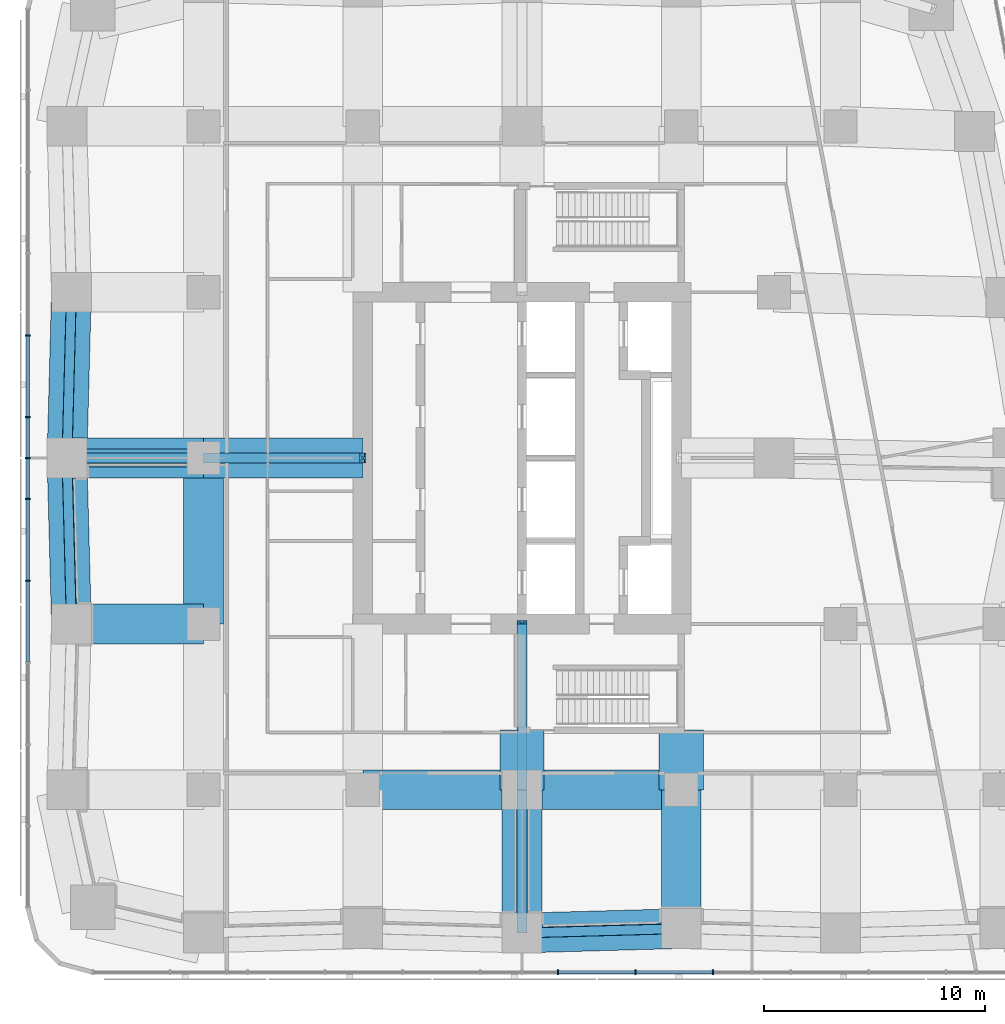
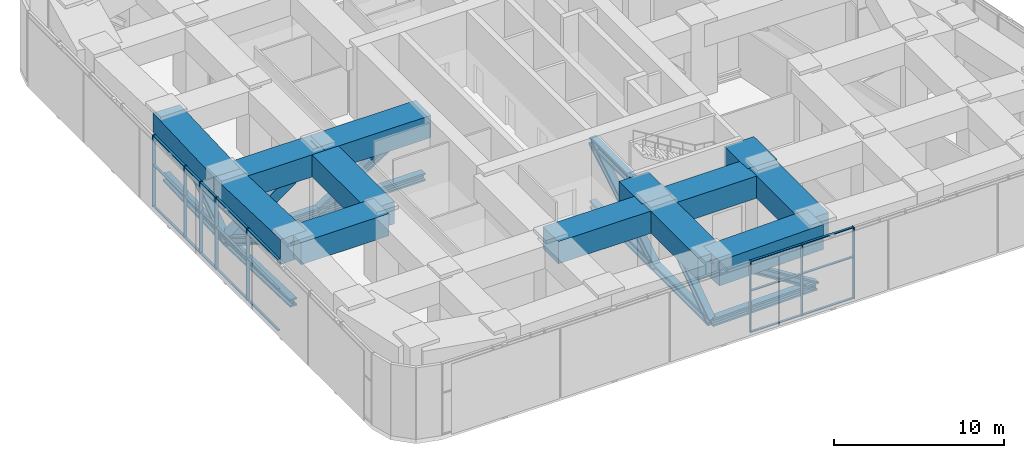
# One storey, part 3 of 17: 44 members, 13 beams, 2 elements without a shape of their own.
"""IFC4 building model written with IfcOpenShell, lengths in metres."""

from ifc_helpers import new_model, si_unit, direction, frame, origin, origin_2d, place, context, subcontext, project, spatial, rectangle, hollow_rectangle, i_section, extrude, material, material_profile, profile_set, type_object, element, aggregate, save


model = new_model("IFC4")

# Units and contexts
model_context = context("Model", 3, precision=1e-05, world=origin(), true_north=direction((0.0, 1.0)))
body_context = subcontext(model_context, "Body", "Model", "MODEL_VIEW")
ifc_project = project(units=[si_unit("LENGTHUNIT", "METRE"), si_unit("AREAUNIT", "SQUARE_METRE"), si_unit("VOLUMEUNIT", "CUBIC_METRE"), si_unit("PLANEANGLEUNIT", "RADIAN"), si_unit("MASSUNIT", "GRAM", prefix="KILO")], contexts=[model_context])

# Site, building, storey
site_placement = place(None, origin())
site = spatial("IfcSite", under=ifc_project, at=site_placement, CompositionType="ELEMENT")
building_placement = place(site_placement, origin())
building = spatial("IfcBuilding", under=site, at=building_placement, Name="Sheger Commons Tower", CompositionType="ELEMENT")
storey_placement = place(building_placement, frame((0.0, 0.0, 188.300048828125)))
storey = spatial("IfcBuildingStorey", under=building, at=storey_placement, Name="L48", CompositionType="ELEMENT", Elevation=188.300048828125)

# Beams
ifc_material_1 = material(Name="Concrete C50/60", Category="concrete")
ifc_material_profile_1 = material_profile(ifc_material_1, rectangle(XDim=1.800048828125, YDim=1.60009765625, at=origin_2d()), Name="RC 1800x1600")
ifc_profile_set_1 = profile_set([ifc_material_profile_1], Name="Concrete C50/60")
beam_type_1 = type_object("IfcBeamType", Name="BEAM RC 1800x1600", PredefinedType="BEAM", material=ifc_profile_set_1)
beam_1_placement = place(storey_placement, frame((14.39990234375, 7.5, 4.349853515625), z_axis=(1.0, 0.0, 0.0), x_axis=(0.0, 1.0, 0.0)))
element("IfcBeam", 1, at=beam_1_placement, inside=storey, type_object=beam_type_1, Name="Beam 3/B-4/B under L49", PredefinedType="BEAM", context=body_context, shape_type="SweptSolid", body=[
    extrude(rectangle(XDim=1.800048828125, YDim=1.60009765625, at=origin_2d()), origin(), (0.0, 0.0, 1.0), 7.2001953125),
])
beam_2_placement = place(storey_placement, frame((21.60009765625, 7.5, 4.349853515625), z_axis=(1.0, 0.0, 0.0), x_axis=(0.0, 1.0, 0.0)))
element("IfcBeam", 2, at=beam_2_placement, inside=storey, type_object=beam_type_1, Name="Beam 4/B-5/B under L49", PredefinedType="BEAM", context=body_context, shape_type="SweptSolid", body=[
    extrude(rectangle(XDim=1.800048828125, YDim=1.60009765625, at=origin_2d()), origin(), (0.0, 0.0, 1.0), 7.199951171875),
])
beam_3_placement = place(storey_placement, frame((1.22509765625, 15.0, 4.349853515625), z_axis=(1.0, 0.0, 0.0), x_axis=(0.0, 1.0, 0.0)))
element("IfcBeam", 3, at=beam_3_placement, inside=storey, type_object=beam_type_1, Name="Beam 1/C-2/C under L49", PredefinedType="BEAM", context=body_context, shape_type="SweptSolid", body=[
    extrude(rectangle(XDim=1.800048828125, YDim=1.60009765625, at=origin_2d()), origin(), (0.0, 0.0, 1.0), 5.974853515625),
])
beam_4_placement = place(storey_placement, frame((1.02490234375, 22.5, 4.349853515625), z_axis=(1.0, 0.0, 0.0), x_axis=(0.0, 1.0, 0.0)))
element("IfcBeam", 4, at=beam_4_placement, inside=storey, type_object=beam_type_1, Name="Beam 1/D-2/D under L49", PredefinedType="BEAM", context=body_context, shape_type="SweptSolid", body=[
    extrude(rectangle(XDim=1.800048828125, YDim=1.60009765625, at=origin_2d()), origin(), (0.0, 0.0, 1.0), 6.175048828125),
])
beam_5_placement = place(storey_placement, frame((7.199951171875, 22.5, 4.349853515625), z_axis=(1.0, 0.0, 0.0), x_axis=(0.0, 1.0, 0.0)))
element("IfcBeam", 5, at=beam_5_placement, inside=storey, type_object=beam_type_1, Name="Beam 2/D-3/D under L49", PredefinedType="BEAM", context=body_context, shape_type="SweptSolid", body=[
    extrude(rectangle(XDim=1.800048828125, YDim=1.60009765625, at=origin_2d()), origin(), (0.0, 0.0, 1.0), 7.199951171875),
])
beam_6_placement = place(storey_placement, frame((7.199951171875, 15.0, 4.349853515625), z_axis=(0.0, 1.0, 0.0), x_axis=(-1.0, 0.0, 0.0)))
element("IfcBeam", 6, at=beam_6_placement, inside=storey, type_object=beam_type_1, Name="Beam 2/C-2/D under L49", PredefinedType="BEAM", context=body_context, shape_type="SweptSolid", body=[
    extrude(rectangle(XDim=1.800048828125, YDim=1.60009765625, at=origin_2d()), origin(), (0.0, 0.0, 1.0), 7.5),
])
beam_7_placement = place(storey_placement, frame((21.60009765625, 1.02490234375, 4.349853515625), z_axis=(0.0, 1.0, 0.0), x_axis=(-1.0, 0.0, 0.0)))
element("IfcBeam", 7, at=beam_7_placement, inside=storey, type_object=beam_type_1, Name="Beam 4/A-4/B under L49", PredefinedType="BEAM", context=body_context, shape_type="SweptSolid", body=[
    extrude(rectangle(XDim=1.800048828125, YDim=1.60009765625, at=origin_2d()), origin(), (0.0, 0.0, 1.0), 6.47509765625),
])
beam_8_placement = place(storey_placement, frame((28.800048828125, 1.22509765625, 4.349853515625), z_axis=(0.0, 1.0, 0.0), x_axis=(-1.0, 0.0, 0.0)))
element("IfcBeam", 8, at=beam_8_placement, inside=storey, type_object=beam_type_1, Name="Beam 5/A-5/B under L49", PredefinedType="BEAM", context=body_context, shape_type="SweptSolid", body=[
    extrude(rectangle(XDim=1.800048828125, YDim=1.60009765625, at=origin_2d()), origin(), (0.0, 0.0, 1.0), 6.27490234375),
])
ifc_material_2 = material(Name="Concrete C50/60", Category="concrete")
ifc_material_profile_2 = material_profile(ifc_material_2, rectangle(XDim=2.0, YDim=2.0, at=origin_2d()), Name="RC 2000x2000")
ifc_profile_set_2 = profile_set([ifc_material_profile_2], Name="Concrete C50/60")
beam_type_2 = type_object("IfcBeamType", Name="BEAM RC 2000x2000", PredefinedType="BEAM", material=ifc_profile_set_2)
for number, where, z_axis, x_axis, name in (
    (9, (21.60009765625, 7.5, 4.14990234375), (0.0, 1.0, 0.0), (-1.0, 0.0, 0.0), "Beam 4/B-21.600,10.200 under L49"),
    (10, (28.800048828125, 7.5, 4.14990234375), (0.0, 1.0, 0.0), (-1.0, 0.0, 0.0), "Beam 5/B-28.800,10.200 under L49"),
):
    element("IfcBeam", number, at=place(storey_placement, frame(where, z_axis=z_axis, x_axis=x_axis)), inside=storey, type_object=beam_type_2, Name=name, PredefinedType="BEAM", context=body_context, shape_type="SweptSolid", body=[
        extrude(rectangle(XDim=2.0, YDim=2.0, at=origin_2d()), origin(), (0.0, 0.0, 1.0), 2.699951171875),
    ])

# Members
ifc_material_3 = material(Name="Steel S355", Category="steel")
ifc_material_profile_3 = material_profile(ifc_material_3, hollow_rectangle(XDim=0.800048828125, YDim=0.800048828125, WallThickness=0.06005859375, at=origin_2d()), Name="BOX 800x800x60")
ifc_profile_set_3 = profile_set([ifc_material_profile_3], Name="Steel S355")
member_type_1 = type_object("IfcMemberType", Name="BRACE BOX 800x800x60", PredefinedType="BRACE", material=ifc_profile_set_3)
member_1_placement = place(storey_placement, frame((7.199951171875, 22.5, 4.849853515625), z_axis=(-0.805070237656, 0.0, -0.593179494285), x_axis=(0.0, -1.0, 0.0)))
element("IfcMember", 11, at=member_1_placement, inside=storey, type_object=member_type_1, Name="Outrigger W diagonal 2", PredefinedType="BRACE", context=body_context, shape_type="SweptSolid", body=[
    extrude(hollow_rectangle(XDim=0.800048828125, YDim=0.800048828125, WallThickness=0.06005859375, at=origin_2d()), origin(), (0.0, 0.0, 1.0), 7.670166015625),
])
ifc_material_4 = material(Name="Steel S460", Category="steel")
ifc_material_profile_4 = material_profile(ifc_material_4, i_section(OverallWidth=0.4541015625, OverallDepth=0.569091796875, WebThickness=0.077880859375, FlangeThickness=0.125, at=origin_2d()), Name="HD 400x1086")
ifc_profile_set_4 = profile_set([ifc_material_profile_4], Name="Steel S460")
member_type_2 = type_object("IfcMemberType", Name="BRACE HD 400x1086", PredefinedType="BRACE", material=ifc_profile_set_4)
member_2_placement = place(storey_placement, frame((21.60009765625, 15.0, 4.849853515625), z_axis=(0.0, -0.854977945215, -0.518664355046), x_axis=(1.0, 0.0, 0.0)))
element("IfcMember", 12, at=member_2_placement, inside=storey, type_object=member_type_2, Name="Outrigger S diagonal 1", PredefinedType="BRACE", context=body_context, shape_type="SweptSolid", body=[
    extrude(i_section(OverallWidth=0.4541015625, OverallDepth=0.569091796875, WebThickness=0.077880859375, FlangeThickness=0.125, at=origin_2d()), origin(), (0.0, 0.0, 1.0), 8.772216796875),
])
member_3_placement = place(storey_placement, frame((21.60009765625, 7.5, 4.849853515625), z_axis=(0.0, -0.818207385624, -0.574923189748), x_axis=(1.0, 0.0, 0.0)))
element("IfcMember", 13, at=member_3_placement, inside=storey, type_object=member_type_2, Name="Outrigger S diagonal 2", PredefinedType="BRACE", context=body_context, shape_type="SweptSolid", body=[
    extrude(i_section(OverallWidth=0.4541015625, OverallDepth=0.569091796875, WebThickness=0.077880859375, FlangeThickness=0.125, at=origin_2d()), origin(), (0.0, 0.0, 1.0), 7.913818359375),
])
member_4_placement = place(storey_placement, frame((14.39990234375, 22.5, 4.849853515625), z_axis=(-0.845358097379, 0.0, -0.534200044175), x_axis=(0.0, -1.0, 0.0)))
element("IfcMember", 14, at=member_4_placement, inside=storey, type_object=member_type_2, Name="Outrigger W diagonal 1", PredefinedType="BRACE", context=body_context, shape_type="SweptSolid", body=[
    extrude(i_section(OverallWidth=0.4541015625, OverallDepth=0.569091796875, WebThickness=0.077880859375, FlangeThickness=0.125, at=origin_2d()), origin(), (0.0, 0.0, 1.0), 8.51708984375),
])
ifc_material_5 = material(Name="Steel S460", Category="steel")
ifc_material_profile_5 = material_profile(ifc_material_5, i_section(OverallWidth=0.44189453125, OverallDepth=0.531005859375, WebThickness=0.06591796875, FlangeThickness=0.10595703125, at=origin_2d()), Name="HD 400x900")
ifc_profile_set_5 = profile_set([ifc_material_profile_5], Name="Steel S460")
member_type_3 = type_object("IfcMemberType", Name="BRACE HD 400x900", PredefinedType="BRACE", material=ifc_profile_set_5)
member_5_placement = place(storey_placement, frame((28.800048828125, 1.22509765625, 0.300048828125), z_axis=(-0.84512466508, -0.023498769976, 0.534052533262), x_axis=(0.027794350926, -0.9996136624, 0.0)))
element("IfcMember", 15, at=member_5_placement, inside=storey, type_object=member_type_3, Name="Belt truss diagonal 21.600,1.025-28.800,1.225", PredefinedType="BRACE", context=body_context, shape_type="SweptSolid", body=[
    extrude(i_section(OverallWidth=0.44189453125, OverallDepth=0.531005859375, WebThickness=0.06591796875, FlangeThickness=0.10595703125, at=origin_2d()), origin(), (0.0, 0.0, 1.0), 8.519287109375),
])
for number, where, z_axis, x_axis, name in (
    (16, (1.02490234375, 22.5, 0.300048828125), (0.022815736149, 0.854755383521, 0.518529340081), (-0.999643939919, 0.026683204125, 0.0), "Belt truss diagonal 1+1225/E-1+1025/D"),
    (17, (1.02490234375, 22.5, 0.300048828125), (0.022815736149, -0.854755383521, 0.518529340081), (0.999643939919, 0.026683204125, 0.0), "Belt truss diagonal 1+1025/D-1+1225/C"),
):
    element("IfcMember", number, at=place(storey_placement, frame(where, z_axis=z_axis, x_axis=x_axis)), inside=storey, type_object=member_type_3, Name=name, PredefinedType="BRACE", context=body_context, shape_type="SweptSolid", body=[
        extrude(i_section(OverallWidth=0.44189453125, OverallDepth=0.531005859375, WebThickness=0.06591796875, FlangeThickness=0.10595703125, at=origin_2d()), origin(), (0.0, 0.0, 1.0), 8.7744140625),
    ])
ifc_material_6 = material(Name="Steel S460", Category="steel")
ifc_material_profile_6 = material_profile(ifc_material_6, i_section(OverallWidth=0.4541015625, OverallDepth=0.569091796875, WebThickness=0.077880859375, FlangeThickness=0.125, at=origin_2d()), Name="HD 400x1086")
ifc_profile_set_6 = profile_set([ifc_material_profile_6], Name="Steel S460")
member_type_4 = type_object("IfcMemberType", Name="CHORD HD 400x1086", PredefinedType="CHORD", material=ifc_profile_set_6)
member_6_placement = place(storey_placement, frame((21.60009765625, 1.02490234375, 0.300048828125), z_axis=(0.9996136624, 0.027794350926, 0.0), x_axis=(-0.027794350926, 0.9996136624, 0.0)))
element("IfcMember", 18, at=member_6_placement, inside=storey, type_object=member_type_4, Name="Belt truss bottom chord 21.600,1.025-28.800,1.225", PredefinedType="CHORD", context=body_context, shape_type="SweptSolid", body=[
    extrude(i_section(OverallWidth=0.4541015625, OverallDepth=0.569091796875, WebThickness=0.077880859375, FlangeThickness=0.125, at=origin_2d()), origin(), (0.0, 0.0, 1.0), 7.20263671875),
])
for number, where, z_axis, x_axis, name in (
    (19, (1.22509765625, 30.0, 0.300048828125), (-0.026683204125, -0.999643939919, 0.0), (0.999643939919, -0.026683204125, 0.0), "Belt truss bottom chord 1+1225/E-1+1025/D"),
    (20, (1.02490234375, 22.5, 0.300048828125), (0.026683204125, -0.999643939919, 0.0), (0.999643939919, 0.026683204125, 0.0), "Belt truss bottom chord 1+1025/D-1+1225/C"),
):
    element("IfcMember", number, at=place(storey_placement, frame(where, z_axis=z_axis, x_axis=x_axis)), inside=storey, type_object=member_type_4, Name=name, PredefinedType="CHORD", context=body_context, shape_type="SweptSolid", body=[
        extrude(i_section(OverallWidth=0.4541015625, OverallDepth=0.569091796875, WebThickness=0.077880859375, FlangeThickness=0.125, at=origin_2d()), origin(), (0.0, 0.0, 1.0), 7.502685546875),
    ])
for number, where, z_axis, x_axis, name in (
    (21, (21.60009765625, 15.0, 0.300048828125), (0.0, -1.0, 0.0), (1.0, 0.0, 0.0), "Outrigger S bottom chord 4/C-4/B"),
    (22, (21.60009765625, 15.0, 4.849853515625), (0.0, -1.0, 0.0), (1.0, 0.0, 0.0), "Outrigger S top chord 4/C-4/B"),
):
    element("IfcMember", number, at=place(storey_placement, frame(where, z_axis=z_axis, x_axis=x_axis)), inside=storey, type_object=member_type_4, Name=name, PredefinedType="CHORD", context=body_context, shape_type="SweptSolid", body=[
        extrude(i_section(OverallWidth=0.4541015625, OverallDepth=0.569091796875, WebThickness=0.077880859375, FlangeThickness=0.125, at=origin_2d()), origin(), (0.0, 0.0, 1.0), 7.5),
    ])
member_7_placement = place(storey_placement, frame((21.60009765625, 7.5, 0.300048828125), z_axis=(0.0, -1.0, 0.0), x_axis=(1.0, 0.0, 0.0)))
element("IfcMember", 23, at=member_7_placement, inside=storey, type_object=member_type_4, Name="Outrigger S bottom chord 4/B-21.600,1.025", PredefinedType="CHORD", context=body_context, shape_type="SweptSolid", body=[
    extrude(i_section(OverallWidth=0.4541015625, OverallDepth=0.569091796875, WebThickness=0.077880859375, FlangeThickness=0.125, at=origin_2d()), origin(), (0.0, 0.0, 1.0), 6.47509765625),
])
member_8_placement = place(storey_placement, frame((14.39990234375, 22.5, 0.300048828125), z_axis=(-1.0, 0.0, 0.0), x_axis=(0.0, -1.0, 0.0)))
element("IfcMember", 24, at=member_8_placement, inside=storey, type_object=member_type_4, Name="Outrigger W bottom chord 3/D-2/D", PredefinedType="CHORD", context=body_context, shape_type="SweptSolid", body=[
    extrude(i_section(OverallWidth=0.4541015625, OverallDepth=0.569091796875, WebThickness=0.077880859375, FlangeThickness=0.125, at=origin_2d()), origin(), (0.0, 0.0, 1.0), 7.199951171875),
])
member_9_placement = place(storey_placement, frame((7.199951171875, 22.5, 0.300048828125), z_axis=(-1.0, 0.0, 0.0), x_axis=(0.0, -1.0, 0.0)))
element("IfcMember", 25, at=member_9_placement, inside=storey, type_object=member_type_4, Name="Outrigger W bottom chord 2/D-1+1025/D", PredefinedType="CHORD", context=body_context, shape_type="SweptSolid", body=[
    extrude(i_section(OverallWidth=0.4541015625, OverallDepth=0.569091796875, WebThickness=0.077880859375, FlangeThickness=0.125, at=origin_2d()), origin(), (0.0, 0.0, 1.0), 6.175048828125),
])

# Curtain wall, members
ifc_material_7 = material(Name="Black aluminium curtain wall, dark tinted glazing", Category="aluminium")
curtain_wall_type = type_object("IfcCurtainWallType", Name="CURTAIN WALL CW3 SKY FLOOR", PredefinedType="USERDEFINED", material=ifc_material_7)
curtain_wall_1_placement = place(storey_placement, origin())
curtain_wall_1 = element("IfcCurtainWall", 26, at=curtain_wall_1_placement, inside=storey, type_object=curtain_wall_type, Name="Curtain Wall Cw3 Sky Floor S1 L48", ObjectType="UNITISED CURTAIN WALL", PredefinedType="USERDEFINED")
ifc_material_8 = material(Name="Black anodised aluminium", Category="aluminium")
ifc_material_profile_7 = material_profile(ifc_material_8, rectangle(XDim=0.22509765625, YDim=0.06494140625, at=origin_2d()), Name="AL 65x225")
ifc_profile_set_7 = profile_set([ifc_material_profile_7], Name="Black anodised aluminium")
member_type_5 = type_object("IfcMemberType", Name="MULLION AL 65x225", PredefinedType="MULLION", material=ifc_profile_set_7)
member_10_placement = place(storey_placement, frame((23.221923828125, -0.75, 0.0), z_axis=(0.0, 0.0, 1.0), x_axis=(0.0, 1.0, 0.0)))
member_10 = element("IfcMember", 27, at=member_10_placement, type_object=member_type_5, Name="CW3 mullion 9", PredefinedType="MULLION", context=body_context, shape_type="SweptSolid", body=[
    extrude(rectangle(XDim=0.22509765625, YDim=0.06494140625, at=origin_2d()), origin(), (0.0, 0.0, 1.0), 5.14990234375),
])
member_11_placement = place(storey_placement, frame((26.73193359375, -0.75, 0.0), z_axis=(0.0, 0.0, 1.0), x_axis=(0.0, 1.0, 0.0)))
member_11 = element("IfcMember", 28, at=member_11_placement, type_object=member_type_5, Name="CW3 mullion 10", PredefinedType="MULLION", context=body_context, shape_type="SweptSolid", body=[
    extrude(rectangle(XDim=0.22509765625, YDim=0.06494140625, at=origin_2d()), origin(), (0.0, 0.0, 1.0), 5.14990234375),
])
member_12_placement = place(storey_placement, frame((30.241943359375, -0.75, 0.0), z_axis=(0.0, 0.0, 1.0), x_axis=(0.0, 1.0, 0.0)))
member_12 = element("IfcMember", 29, at=member_12_placement, type_object=member_type_5, Name="CW3 mullion 11", PredefinedType="MULLION", context=body_context, shape_type="SweptSolid", body=[
    extrude(rectangle(XDim=0.22509765625, YDim=0.06494140625, at=origin_2d()), origin(), (0.0, 0.0, 1.0), 5.14990234375),
])

curtain_wall_2_placement = place(storey_placement, origin())
curtain_wall_2 = element("IfcCurtainWall", 30, at=curtain_wall_2_placement, inside=storey, type_object=curtain_wall_type, Name="Curtain Wall Cw3 Sky Floor W1 L48", ObjectType="UNITISED CURTAIN WALL", PredefinedType="USERDEFINED")
member_13_placement = place(storey_placement, frame((-0.75, 28.0458984375, 0.0), z_axis=(0.0, 0.0, 1.0), x_axis=(1.0, 0.0, 0.0)))
member_13 = element("IfcMember", 31, at=member_13_placement, type_object=member_type_5, Name="CW3 mullion 5", PredefinedType="MULLION", context=body_context, shape_type="SweptSolid", body=[
    extrude(rectangle(XDim=0.22509765625, YDim=0.06494140625, at=origin_2d()), origin(), (0.0, 0.0, 1.0), 5.14990234375),
])
member_14_placement = place(storey_placement, frame((-0.75, 24.34912109375, 0.0), z_axis=(0.0, 0.0, 1.0), x_axis=(1.0, 0.0, 0.0)))
member_14 = element("IfcMember", 32, at=member_14_placement, type_object=member_type_5, Name="CW3 mullion 6", PredefinedType="MULLION", context=body_context, shape_type="SweptSolid", body=[
    extrude(rectangle(XDim=0.22509765625, YDim=0.06494140625, at=origin_2d()), origin(), (0.0, 0.0, 1.0), 5.14990234375),
])
member_15_placement = place(storey_placement, frame((-0.75, 22.5, 0.0), z_axis=(0.0, 0.0, 1.0), x_axis=(1.0, 0.0, 0.0)))
member_15 = element("IfcMember", 33, at=member_15_placement, type_object=member_type_5, Name="CW3 mullion 7", PredefinedType="MULLION", context=body_context, shape_type="SweptSolid", body=[
    extrude(rectangle(XDim=0.22509765625, YDim=0.06494140625, at=origin_2d()), origin(), (0.0, 0.0, 1.0), 5.14990234375),
])
member_16_placement = place(storey_placement, frame((-0.75, 20.65087890625, 0.0), z_axis=(0.0, 0.0, 1.0), x_axis=(1.0, 0.0, 0.0)))
member_16 = element("IfcMember", 34, at=member_16_placement, type_object=member_type_5, Name="CW3 mullion 8", PredefinedType="MULLION", context=body_context, shape_type="SweptSolid", body=[
    extrude(rectangle(XDim=0.22509765625, YDim=0.06494140625, at=origin_2d()), origin(), (0.0, 0.0, 1.0), 5.14990234375),
])
member_17_placement = place(storey_placement, frame((-0.75, 16.9541015625, 0.0), z_axis=(0.0, 0.0, 1.0), x_axis=(1.0, 0.0, 0.0)))
member_17 = element("IfcMember", 35, at=member_17_placement, type_object=member_type_5, Name="CW3 mullion 9", PredefinedType="MULLION", context=body_context, shape_type="SweptSolid", body=[
    extrude(rectangle(XDim=0.22509765625, YDim=0.06494140625, at=origin_2d()), origin(), (0.0, 0.0, 1.0), 5.14990234375),
])

# Beams
ifc_material_9 = material(Name="Concrete C50/60", Category="concrete")
ifc_material_profile_8 = material_profile(ifc_material_9, rectangle(XDim=1.800048828125, YDim=1.800048828125, at=origin_2d()), Name="RC 1800x1800")
ifc_profile_set_8 = profile_set([ifc_material_profile_8], Name="Concrete C50/60")
beam_type_3 = type_object("IfcBeamType", Name="SPANDREL RC 1800x1800", PredefinedType="SPANDREL", material=ifc_profile_set_8)
beam_9_placement = place(storey_placement, frame((21.60009765625, 1.02490234375, 4.25), z_axis=(0.9996136624, 0.027794350926, 0.0), x_axis=(-0.027794350926, 0.9996136624, 0.0)))
element("IfcBeam", 36, at=beam_9_placement, inside=storey, type_object=beam_type_3, Name="Beam 4/A-5/A under L49", PredefinedType="SPANDREL", context=body_context, shape_type="SweptSolid", body=[
    extrude(rectangle(XDim=1.800048828125, YDim=1.800048828125, at=origin_2d()), origin(), (0.0, 0.0, 1.0), 7.20263671875),
])
for number, where, z_axis, x_axis, name in (
    (37, (1.22509765625, 30.0, 4.25), (-0.026683204125, -0.999643939919, 0.0), (0.999643939919, -0.026683204125, 0.0), "Beam 1/E-1/D under L49"),
    (38, (1.02490234375, 22.5, 4.25), (0.026683204125, -0.999643939919, 0.0), (0.999643939919, 0.026683204125, 0.0), "Beam 1/D-1/C under L49"),
):
    element("IfcBeam", number, at=place(storey_placement, frame(where, z_axis=z_axis, x_axis=x_axis)), inside=storey, type_object=beam_type_3, Name=name, PredefinedType="SPANDREL", context=body_context, shape_type="SweptSolid", body=[
        extrude(rectangle(XDim=1.800048828125, YDim=1.800048828125, at=origin_2d()), origin(), (0.0, 0.0, 1.0), 7.502685546875),
    ])

# Member
ifc_material_10 = material(Name="Black anodised aluminium", Category="aluminium")
ifc_material_profile_9 = material_profile(ifc_material_10, rectangle(XDim=0.14990234375, YDim=0.06494140625, at=origin_2d()), Name="AL 65x150")
ifc_profile_set_9 = profile_set([ifc_material_profile_9], Name="Black anodised aluminium")
member_type_6 = type_object("IfcMemberType", Name="TRANSOM AL 65x150", PredefinedType="USERDEFINED", material=ifc_profile_set_9)
member_18_placement = place(storey_placement, frame((23.25439453125, -0.75, 0.032470703125), z_axis=(1.0, 0.0, 0.0), x_axis=(0.0, 1.0, 0.0)))
member_18 = element("IfcMember", 39, at=member_18_placement, type_object=member_type_6, Name="CW3 transom 9.1", ObjectType="TRANSOM", PredefinedType="USERDEFINED", context=body_context, shape_type="SweptSolid", body=[
    extrude(rectangle(XDim=0.14990234375, YDim=0.06494140625, at=origin_2d()), origin(), (0.0, 0.0, 1.0), 3.445068359375),
])

member_19_placement = place(storey_placement, frame((23.25439453125, -0.75, 3.0), z_axis=(1.0, 0.0, 0.0), x_axis=(0.0, 1.0, 0.0)))
member_19 = element("IfcMember", 40, at=member_19_placement, type_object=member_type_6, Name="CW3 transom 9.2", ObjectType="TRANSOM", PredefinedType="USERDEFINED", context=body_context, shape_type="SweptSolid", body=[
    extrude(rectangle(XDim=0.14990234375, YDim=0.06494140625, at=origin_2d()), origin(), (0.0, 0.0, 1.0), 3.445068359375),
])

member_20_placement = place(storey_placement, frame((23.25439453125, -0.75, 5.117431640625), z_axis=(1.0, 0.0, 0.0), x_axis=(0.0, 1.0, 0.0)))
member_20 = element("IfcMember", 41, at=member_20_placement, type_object=member_type_6, Name="CW3 transom 9.3", ObjectType="TRANSOM", PredefinedType="USERDEFINED", context=body_context, shape_type="SweptSolid", body=[
    extrude(rectangle(XDim=0.14990234375, YDim=0.06494140625, at=origin_2d()), origin(), (0.0, 0.0, 1.0), 3.445068359375),
])

member_21_placement = place(storey_placement, frame((26.764404296875, -0.75, 0.032470703125), z_axis=(1.0, 0.0, 0.0), x_axis=(0.0, 1.0, 0.0)))
member_21 = element("IfcMember", 42, at=member_21_placement, type_object=member_type_6, Name="CW3 transom 10.1", ObjectType="TRANSOM", PredefinedType="USERDEFINED", context=body_context, shape_type="SweptSolid", body=[
    extrude(rectangle(XDim=0.14990234375, YDim=0.06494140625, at=origin_2d()), origin(), (0.0, 0.0, 1.0), 3.445068359375),
])

member_22_placement = place(storey_placement, frame((26.764404296875, -0.75, 3.0), z_axis=(1.0, 0.0, 0.0), x_axis=(0.0, 1.0, 0.0)))
member_22 = element("IfcMember", 43, at=member_22_placement, type_object=member_type_6, Name="CW3 transom 10.2", ObjectType="TRANSOM", PredefinedType="USERDEFINED", context=body_context, shape_type="SweptSolid", body=[
    extrude(rectangle(XDim=0.14990234375, YDim=0.06494140625, at=origin_2d()), origin(), (0.0, 0.0, 1.0), 3.445068359375),
])

member_23_placement = place(storey_placement, frame((26.764404296875, -0.75, 5.117431640625), z_axis=(1.0, 0.0, 0.0), x_axis=(0.0, 1.0, 0.0)))
member_23 = element("IfcMember", 44, at=member_23_placement, type_object=member_type_6, Name="CW3 transom 10.3", ObjectType="TRANSOM", PredefinedType="USERDEFINED", context=body_context, shape_type="SweptSolid", body=[
    extrude(rectangle(XDim=0.14990234375, YDim=0.06494140625, at=origin_2d()), origin(), (0.0, 0.0, 1.0), 3.445068359375),
])

aggregate(curtain_wall_1, [member_10, member_11, member_12, member_18, member_19, member_20, member_21, member_22, member_23])

member_24_placement = place(storey_placement, frame((-0.75, 28.013427734375, 0.032470703125), z_axis=(0.0, -1.0, 0.0), x_axis=(1.0, 0.0, 0.0)))
member_24 = element("IfcMember", 45, at=member_24_placement, type_object=member_type_6, Name="CW3 transom 5.1", ObjectType="TRANSOM", PredefinedType="USERDEFINED", context=body_context, shape_type="SweptSolid", body=[
    extrude(rectangle(XDim=0.14990234375, YDim=0.06494140625, at=origin_2d()), origin(), (0.0, 0.0, 1.0), 3.6318359375),
])

member_25_placement = place(storey_placement, frame((-0.75, 28.013427734375, 3.0), z_axis=(0.0, -1.0, 0.0), x_axis=(1.0, 0.0, 0.0)))
member_25 = element("IfcMember", 46, at=member_25_placement, type_object=member_type_6, Name="CW3 transom 5.2", ObjectType="TRANSOM", PredefinedType="USERDEFINED", context=body_context, shape_type="SweptSolid", body=[
    extrude(rectangle(XDim=0.14990234375, YDim=0.06494140625, at=origin_2d()), origin(), (0.0, 0.0, 1.0), 3.6318359375),
])

member_26_placement = place(storey_placement, frame((-0.75, 28.013427734375, 5.117431640625), z_axis=(0.0, -1.0, 0.0), x_axis=(1.0, 0.0, 0.0)))
member_26 = element("IfcMember", 47, at=member_26_placement, type_object=member_type_6, Name="CW3 transom 5.3", ObjectType="TRANSOM", PredefinedType="USERDEFINED", context=body_context, shape_type="SweptSolid", body=[
    extrude(rectangle(XDim=0.14990234375, YDim=0.06494140625, at=origin_2d()), origin(), (0.0, 0.0, 1.0), 3.6318359375),
])

member_27_placement = place(storey_placement, frame((-0.75, 24.31640625, 0.032470703125), z_axis=(0.0, -1.0, 0.0), x_axis=(1.0, 0.0, 0.0)))
member_27 = element("IfcMember", 48, at=member_27_placement, type_object=member_type_6, Name="CW3 transom 6.1", ObjectType="TRANSOM", PredefinedType="USERDEFINED", context=body_context, shape_type="SweptSolid", body=[
    extrude(rectangle(XDim=0.14990234375, YDim=0.06494140625, at=origin_2d()), origin(), (0.0, 0.0, 1.0), 1.783935546875),
])

member_28_placement = place(storey_placement, frame((-0.75, 24.31640625, 3.0), z_axis=(0.0, -1.0, 0.0), x_axis=(1.0, 0.0, 0.0)))
member_28 = element("IfcMember", 49, at=member_28_placement, type_object=member_type_6, Name="CW3 transom 6.2", ObjectType="TRANSOM", PredefinedType="USERDEFINED", context=body_context, shape_type="SweptSolid", body=[
    extrude(rectangle(XDim=0.14990234375, YDim=0.06494140625, at=origin_2d()), origin(), (0.0, 0.0, 1.0), 1.783935546875),
])

member_29_placement = place(storey_placement, frame((-0.75, 24.31640625, 5.117431640625), z_axis=(0.0, -1.0, 0.0), x_axis=(1.0, 0.0, 0.0)))
member_29 = element("IfcMember", 50, at=member_29_placement, type_object=member_type_6, Name="CW3 transom 6.3", ObjectType="TRANSOM", PredefinedType="USERDEFINED", context=body_context, shape_type="SweptSolid", body=[
    extrude(rectangle(XDim=0.14990234375, YDim=0.06494140625, at=origin_2d()), origin(), (0.0, 0.0, 1.0), 1.783935546875),
])

member_30_placement = place(storey_placement, frame((-0.75, 22.467529296875, 0.032470703125), z_axis=(0.0, -1.0, 0.0), x_axis=(1.0, 0.0, 0.0)))
member_30 = element("IfcMember", 51, at=member_30_placement, type_object=member_type_6, Name="CW3 transom 7.1", ObjectType="TRANSOM", PredefinedType="USERDEFINED", context=body_context, shape_type="SweptSolid", body=[
    extrude(rectangle(XDim=0.14990234375, YDim=0.06494140625, at=origin_2d()), origin(), (0.0, 0.0, 1.0), 1.783935546875),
])

member_31_placement = place(storey_placement, frame((-0.75, 22.467529296875, 3.0), z_axis=(0.0, -1.0, 0.0), x_axis=(1.0, 0.0, 0.0)))
member_31 = element("IfcMember", 52, at=member_31_placement, type_object=member_type_6, Name="CW3 transom 7.2", ObjectType="TRANSOM", PredefinedType="USERDEFINED", context=body_context, shape_type="SweptSolid", body=[
    extrude(rectangle(XDim=0.14990234375, YDim=0.06494140625, at=origin_2d()), origin(), (0.0, 0.0, 1.0), 1.783935546875),
])

member_32_placement = place(storey_placement, frame((-0.75, 22.467529296875, 5.117431640625), z_axis=(0.0, -1.0, 0.0), x_axis=(1.0, 0.0, 0.0)))
member_32 = element("IfcMember", 53, at=member_32_placement, type_object=member_type_6, Name="CW3 transom 7.3", ObjectType="TRANSOM", PredefinedType="USERDEFINED", context=body_context, shape_type="SweptSolid", body=[
    extrude(rectangle(XDim=0.14990234375, YDim=0.06494140625, at=origin_2d()), origin(), (0.0, 0.0, 1.0), 1.783935546875),
])

member_33_placement = place(storey_placement, frame((-0.75, 20.618408203125, 0.032470703125), z_axis=(0.0, -1.0, 0.0), x_axis=(1.0, 0.0, 0.0)))
member_33 = element("IfcMember", 54, at=member_33_placement, type_object=member_type_6, Name="CW3 transom 8.1", ObjectType="TRANSOM", PredefinedType="USERDEFINED", context=body_context, shape_type="SweptSolid", body=[
    extrude(rectangle(XDim=0.14990234375, YDim=0.06494140625, at=origin_2d()), origin(), (0.0, 0.0, 1.0), 3.6318359375),
])

member_34_placement = place(storey_placement, frame((-0.75, 20.618408203125, 3.0), z_axis=(0.0, -1.0, 0.0), x_axis=(1.0, 0.0, 0.0)))
member_34 = element("IfcMember", 55, at=member_34_placement, type_object=member_type_6, Name="CW3 transom 8.2", ObjectType="TRANSOM", PredefinedType="USERDEFINED", context=body_context, shape_type="SweptSolid", body=[
    extrude(rectangle(XDim=0.14990234375, YDim=0.06494140625, at=origin_2d()), origin(), (0.0, 0.0, 1.0), 3.6318359375),
])

member_35_placement = place(storey_placement, frame((-0.75, 20.618408203125, 5.117431640625), z_axis=(0.0, -1.0, 0.0), x_axis=(1.0, 0.0, 0.0)))
member_35 = element("IfcMember", 56, at=member_35_placement, type_object=member_type_6, Name="CW3 transom 8.3", ObjectType="TRANSOM", PredefinedType="USERDEFINED", context=body_context, shape_type="SweptSolid", body=[
    extrude(rectangle(XDim=0.14990234375, YDim=0.06494140625, at=origin_2d()), origin(), (0.0, 0.0, 1.0), 3.6318359375),
])

member_36_placement = place(storey_placement, frame((-0.75, 16.92138671875, 0.032470703125), z_axis=(0.0, -1.0, 0.0), x_axis=(1.0, 0.0, 0.0)))
member_36 = element("IfcMember", 57, at=member_36_placement, type_object=member_type_6, Name="CW3 transom 9.1", ObjectType="TRANSOM", PredefinedType="USERDEFINED", context=body_context, shape_type="SweptSolid", body=[
    extrude(rectangle(XDim=0.14990234375, YDim=0.06494140625, at=origin_2d()), origin(), (0.0, 0.0, 1.0), 3.6328125),
])

member_37_placement = place(storey_placement, frame((-0.75, 16.92138671875, 3.0), z_axis=(0.0, -1.0, 0.0), x_axis=(1.0, 0.0, 0.0)))
member_37 = element("IfcMember", 58, at=member_37_placement, type_object=member_type_6, Name="CW3 transom 9.2", ObjectType="TRANSOM", PredefinedType="USERDEFINED", context=body_context, shape_type="SweptSolid", body=[
    extrude(rectangle(XDim=0.14990234375, YDim=0.06494140625, at=origin_2d()), origin(), (0.0, 0.0, 1.0), 3.6328125),
])

member_38_placement = place(storey_placement, frame((-0.75, 16.92138671875, 5.117431640625), z_axis=(0.0, -1.0, 0.0), x_axis=(1.0, 0.0, 0.0)))
member_38 = element("IfcMember", 59, at=member_38_placement, type_object=member_type_6, Name="CW3 transom 9.3", ObjectType="TRANSOM", PredefinedType="USERDEFINED", context=body_context, shape_type="SweptSolid", body=[
    extrude(rectangle(XDim=0.14990234375, YDim=0.06494140625, at=origin_2d()), origin(), (0.0, 0.0, 1.0), 3.6328125),
])

aggregate(curtain_wall_2, [member_13, member_14, member_15, member_16, member_17, member_24, member_25, member_26, member_27, member_28, member_29, member_30, member_31, member_32, member_33, member_34, member_35, member_36, member_37, member_38])

save(model, "model.ifc")
